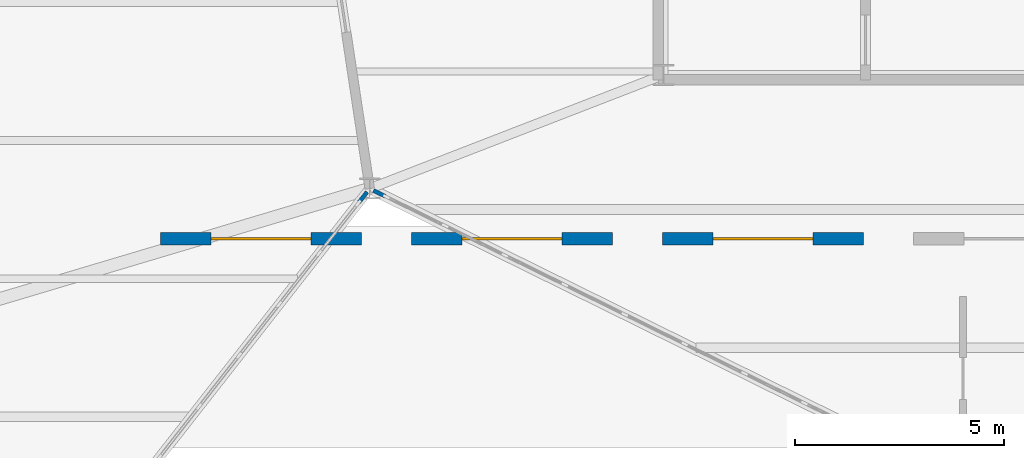
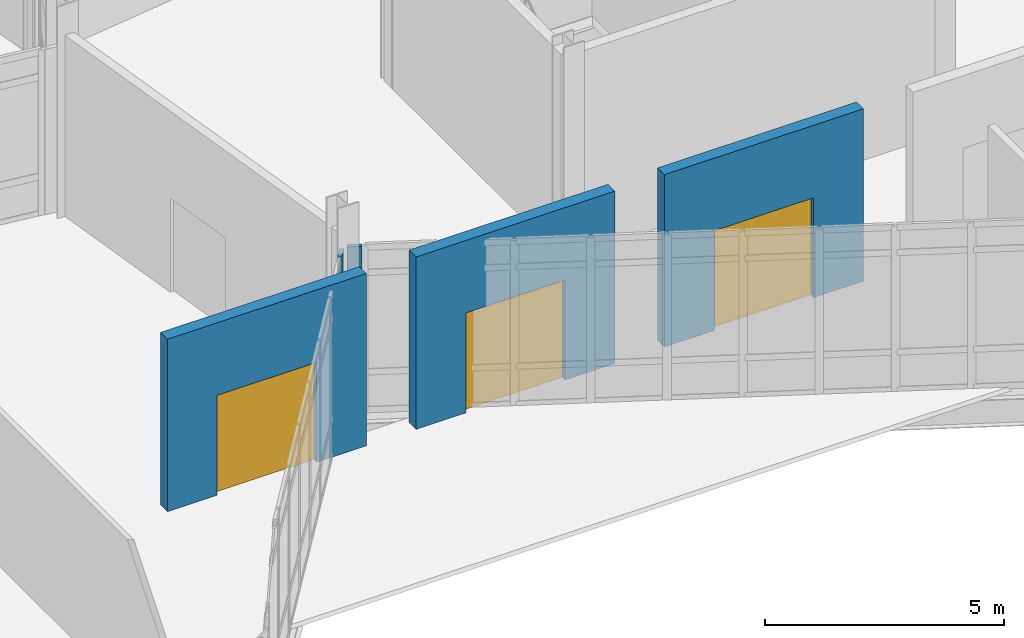
# One storey, part 86 of 113: 5 walls, 3 doors, 3 openings.
"""IFC4 building model written with IfcOpenShell, lengths in metres."""

from ifc_helpers import new_model, si_unit, direction, frame, frame_2d, origin, place, context, subcontext, project, spatial, rectangle, extrude, material, layer, layer_set, type_object, element, fill, save


model = new_model("IFC4")

# Units and contexts
model_context = context("Model", 3, precision=1e-05, world=origin(), true_north=direction((0.0, 1.0)))
body_context = subcontext(model_context, "Body", "Model", "MODEL_VIEW")
ifc_project = project(units=[si_unit("LENGTHUNIT", "METRE"), si_unit("AREAUNIT", "SQUARE_METRE"), si_unit("VOLUMEUNIT", "CUBIC_METRE"), si_unit("PLANEANGLEUNIT", "RADIAN"), si_unit("MASSUNIT", "GRAM", prefix="KILO")], contexts=[model_context])

# Site, building, storey
site_placement = place(None, origin())
site = spatial("IfcSite", under=ifc_project, at=site_placement, CompositionType="ELEMENT")
building_placement = place(site_placement, origin())
building = spatial("IfcBuilding", under=site, at=building_placement, Name="Tameran Prism Museum", CompositionType="ELEMENT")
storey_placement = place(building_placement, origin())
storey = spatial("IfcBuildingStorey", under=building, at=storey_placement, Name="L00", CompositionType="ELEMENT", Elevation=0.0)

# Walls
ifc_material_1 = material(Name="Precast Concrete N40 (40 MPa)", Category="concrete")
ifc_layer_1 = layer(ifc_material_1, 0.094970703125)
ifc_layer_set_1 = layer_set([ifc_layer_1])
wall_type_1 = type_object("IfcWallType", Name="EW-CLOS-095", PredefinedType="SOLIDWALL", material=ifc_layer_set_1)
wall_1_placement = place(storey_placement, frame((51.367919921875, 30.01806640625, 0.0), z_axis=(0.0, 0.0, 1.0), x_axis=(-0.896952807524, 0.44212629539, 0.0)))
element("IfcWall", 1, at=wall_1_placement, inside=storey, type_object=wall_type_1, Name="Facade Corner Closure EW-0088", PredefinedType="SOLIDWALL", context=body_context, shape_type="SweptSolid", body=[
    extrude(rectangle(XDim=0.3076171875, YDim=0.094970703125, at=frame_2d((0.15380859375, 0.0))), origin(), (0.0, 0.0, 1.0), 4.219970703125),
])
wall_2_placement = place(storey_placement, frame((50.93701171875, 30.1201171875, 0.0), z_axis=(0.0, 0.0, 1.0), x_axis=(-0.615582622046, -0.788072354188, 0.0)))
element("IfcWall", 2, at=wall_2_placement, inside=storey, type_object=wall_type_1, Name="Facade Corner Closure EW-0139", PredefinedType="SOLIDWALL", context=body_context, shape_type="SweptSolid", body=[
    extrude(rectangle(XDim=0.30859375, YDim=0.094970703125, at=frame_2d((0.154296875, 0.0))), origin(), (0.0, 0.0, 1.0), 4.219970703125),
])

# Wall, opening, door
ifc_material_2 = material(Name="Precast Concrete N40 (40 MPa)", Category="concrete")
ifc_layer_2 = layer(ifc_material_2, 0.2900390625)
ifc_layer_set_2 = layer_set([ifc_layer_2])
wall_type_2 = type_object("IfcWallType", Name="EW-FOY-290", PredefinedType="SOLIDWALL", material=ifc_layer_set_2)
wall_3_placement = place(storey_placement, frame((50.800048828125, 29.0, 0.0), z_axis=(0.0, 0.0, 1.0), x_axis=(-1.0, 0.0, 0.0)))
wall_3 = element("IfcWall", 3, at=wall_3_placement, inside=storey, type_object=wall_type_2, Name="Entrance Portal Wall EW-0471", PredefinedType="SOLIDWALL", context=body_context, shape_type="SweptSolid", body=[
    extrude(rectangle(XDim=4.800048828125, YDim=0.2900390625, at=frame_2d((2.39990234375, 0.0))), origin(), (0.0, 0.0, 1.0), 4.39990234375),
])
opening_1_placement = place(wall_3_placement, frame((1.199951171875, 0.0, 0.0)))
opening_1 = element("IfcOpeningElement", 4, at=opening_1_placement, cuts=wall_3, Name="Opening ED-24", PredefinedType="OPENING", context=body_context, shape_type="SweptSolid", body=[
    extrude(rectangle(XDim=2.39990234375, YDim=2.550048828125, at=frame_2d((1.199951171875, 1.27490234375))), frame((0.0, 0.155029296875, 0.0), z_axis=(0.0, -1.0, 0.0), x_axis=(1.0, 0.0, 0.0)), (0.0, 0.0, 1.0), 0.31005859375),
])
ifc_material_3 = material(Name="Cyclone-Rated Anodised Aluminium 6063-T6 and Laminated Glass", Category="aluminium")
door_type = type_object("IfcDoorType", Name="DR-EXT-240", OperationType="DOUBLE_DOOR_SINGLE_SWING", PredefinedType="DOOR", material=ifc_material_3)
door_1_placement = place(opening_1_placement, origin())
door_1 = element("IfcDoor", 5, at=door_1_placement, inside=storey, type_object=door_type, Name="Final Exit Double Door ED-24", OperationType="DOUBLE_DOOR_SINGLE_SWING", OverallHeight=2.550048828125, OverallWidth=2.39990234375, PredefinedType="DOOR", context=body_context, shape_type="SweptSolid", body=[
    extrude(rectangle(XDim=2.39990234375, YDim=2.550048828125, at=frame_2d((1.199951171875, 1.27490234375))), frame((0.0, 0.02490234375, 0.0), z_axis=(0.0, -1.0, 0.0), x_axis=(1.0, 0.0, 0.0)), (0.0, 0.0, 1.0), 0.050048828125),
])
fill(opening_1, door_1)

wall_4_placement = place(storey_placement, frame((56.800048828125, 29.0, 0.0), z_axis=(0.0, 0.0, 1.0), x_axis=(-1.0, 0.0, 0.0)))
wall_4 = element("IfcWall", 6, at=wall_4_placement, inside=storey, type_object=wall_type_2, Name="Entrance Portal Wall EW-0472", PredefinedType="SOLIDWALL", context=body_context, shape_type="SweptSolid", body=[
    extrude(rectangle(XDim=4.800048828125, YDim=0.2900390625, at=frame_2d((2.39990234375, 0.0))), origin(), (0.0, 0.0, 1.0), 4.39990234375),
])
opening_2_placement = place(wall_4_placement, frame((1.199951171875, 0.0, 0.0)))
opening_2 = element("IfcOpeningElement", 7, at=opening_2_placement, cuts=wall_4, Name="Opening ED-25", PredefinedType="OPENING", context=body_context, shape_type="SweptSolid", body=[
    extrude(rectangle(XDim=2.39990234375, YDim=2.550048828125, at=frame_2d((1.199951171875, 1.27490234375))), frame((0.0, 0.155029296875, 0.0), z_axis=(0.0, -1.0, 0.0), x_axis=(1.0, 0.0, 0.0)), (0.0, 0.0, 1.0), 0.31005859375),
])
door_2_placement = place(opening_2_placement, origin())
door_2 = element("IfcDoor", 8, at=door_2_placement, inside=storey, type_object=door_type, Name="Final Exit Double Door ED-25", OperationType="DOUBLE_DOOR_SINGLE_SWING", OverallHeight=2.550048828125, OverallWidth=2.39990234375, PredefinedType="DOOR", context=body_context, shape_type="SweptSolid", body=[
    extrude(rectangle(XDim=2.39990234375, YDim=2.550048828125, at=frame_2d((1.199951171875, 1.27490234375))), frame((0.0, 0.02490234375, 0.0), z_axis=(0.0, -1.0, 0.0), x_axis=(1.0, 0.0, 0.0)), (0.0, 0.0, 1.0), 0.050048828125),
])
fill(opening_2, door_2)

wall_5_placement = place(storey_placement, frame((62.800048828125, 29.0, 0.0), z_axis=(0.0, 0.0, 1.0), x_axis=(-1.0, 0.0, 0.0)))
wall_5 = element("IfcWall", 9, at=wall_5_placement, inside=storey, type_object=wall_type_2, Name="Entrance Portal Wall EW-0473", PredefinedType="SOLIDWALL", context=body_context, shape_type="SweptSolid", body=[
    extrude(rectangle(XDim=4.800048828125, YDim=0.2900390625, at=frame_2d((2.39990234375, 0.0))), origin(), (0.0, 0.0, 1.0), 4.39990234375),
])
opening_3_placement = place(wall_5_placement, frame((1.199951171875, 0.0, 0.0)))
opening_3 = element("IfcOpeningElement", 10, at=opening_3_placement, cuts=wall_5, Name="Opening ED-26", PredefinedType="OPENING", context=body_context, shape_type="SweptSolid", body=[
    extrude(rectangle(XDim=2.39990234375, YDim=2.550048828125, at=frame_2d((1.199951171875, 1.27490234375))), frame((0.0, 0.155029296875, 0.0), z_axis=(0.0, -1.0, 0.0), x_axis=(1.0, 0.0, 0.0)), (0.0, 0.0, 1.0), 0.31005859375),
])
door_3_placement = place(opening_3_placement, origin())
door_3 = element("IfcDoor", 11, at=door_3_placement, inside=storey, type_object=door_type, Name="Final Exit Double Door ED-26", OperationType="DOUBLE_DOOR_SINGLE_SWING", OverallHeight=2.550048828125, OverallWidth=2.39990234375, PredefinedType="DOOR", context=body_context, shape_type="SweptSolid", body=[
    extrude(rectangle(XDim=2.39990234375, YDim=2.550048828125, at=frame_2d((1.199951171875, 1.27490234375))), frame((0.0, 0.02490234375, 0.0), z_axis=(0.0, -1.0, 0.0), x_axis=(1.0, 0.0, 0.0)), (0.0, 0.0, 1.0), 0.050048828125),
])
fill(opening_3, door_3)

save(model, "model.ifc")
